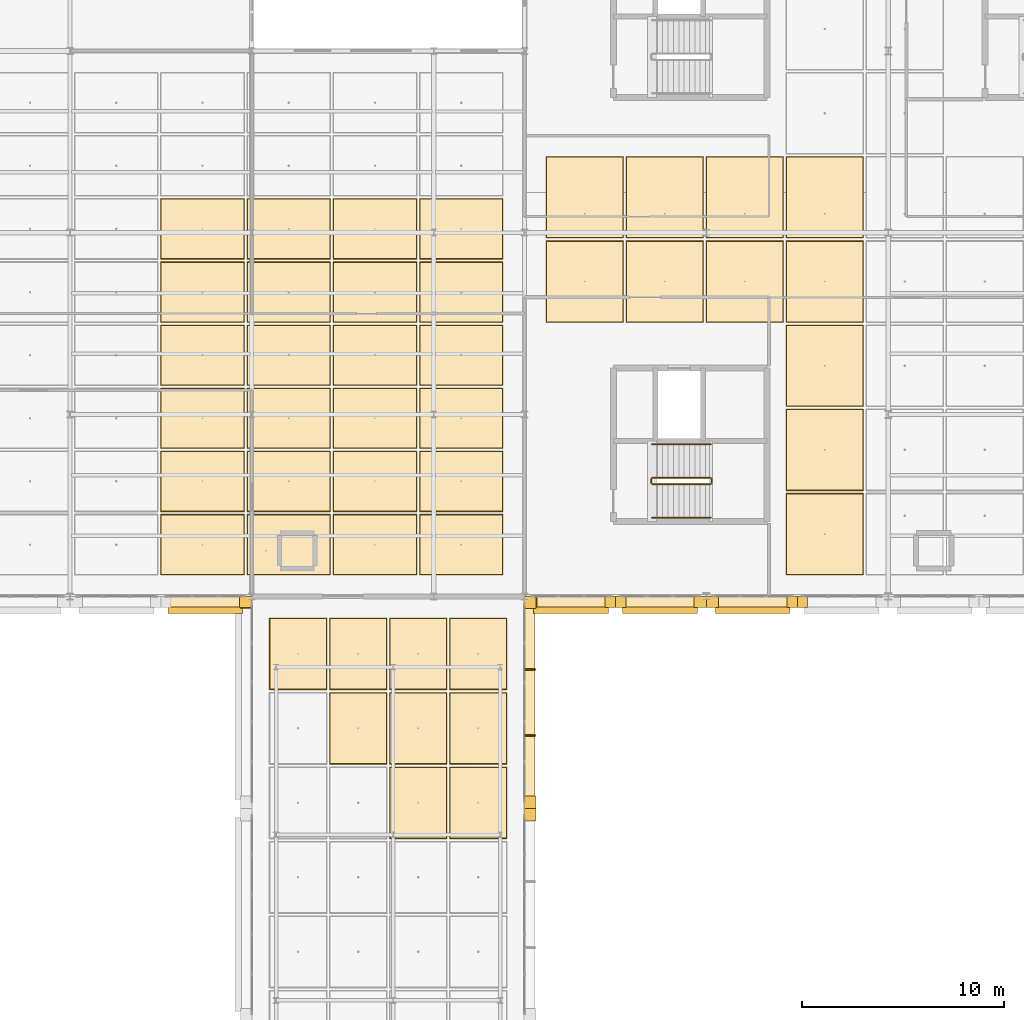
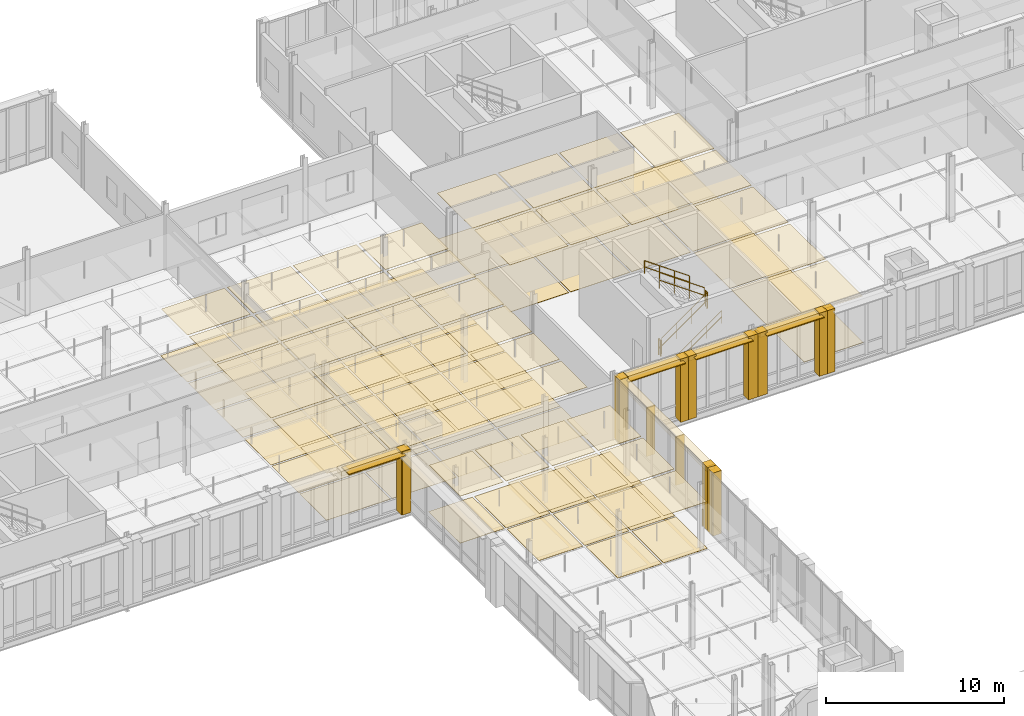
# One storey, part 125 of 130: 105 coverings, 6 railings, 6 shading devices.
"""IFC4 building model written with IfcOpenShell, lengths in metres."""

import ifcopenshell
import ifcopenshell.guid

model = None  # the IFC model being written
_history = None  # IfcOwnerHistory: only IFC2X3 demands one
_inside = {}  # id of a spatial element -> (the spatial element, [elements in it])
_under = {}  # id of a project, library or spatial element -> (it, [spatial elements below it])
_declared = {}  # id of a project -> (the project, [libraries it declares])
_typed = {}  # id of a type object -> (the type object, [elements of that type])
_made_of = {}  # id of a material, layer set ... -> (it, [elements and type objects made of it])


def new_model(schema):
    """Start an empty IFC model of exactly this schema.

    Asked for "IFC4X3", IfcOpenShell would pick the latest addendum, in which some entities
    have other attributes; the version numbers below select the first issue.
    IFC2X3 requires an IfcOwnerHistory on every rooted entity: one is made here for all.
    """
    global model, _history
    if schema == "IFC4X3":
        model = ifcopenshell.file(schema_version=(4, 3, 0, 0))
    else:
        model = ifcopenshell.file(schema=schema)
    _inside.clear()
    _under.clear()
    _declared.clear()
    _typed.clear()
    _made_of.clear()
    _history = None
    if model.schema == "IFC2X3":
        org = make("IfcOrganization", Name="unknown")
        user = make(
            "IfcPersonAndOrganization",
            ThePerson=make("IfcPerson", FamilyName="unknown"),
            TheOrganization=org,
        )
        app = make(
            "IfcApplication",
            ApplicationDeveloper=org,
            Version="unknown",
            ApplicationFullName="unknown",
            ApplicationIdentifier="unknown",
        )
        _history = make(
            "IfcOwnerHistory",
            OwningUser=user,
            OwningApplication=app,
            ChangeAction="ADDED",
            CreationDate=0,
        )
    return model


def make(cls, **values):
    """One entity of the class cls with the attributes given. An attribute that is None is left unset."""
    return model.create_entity(
        cls, **{name: value for name, value in values.items() if value is not None}
    )


def rooted(cls, **values):
    """An entity with a GlobalId (a new one), such as an element, a storey or a relation."""
    return make(cls, GlobalId=ifcopenshell.guid.new(), OwnerHistory=_history, **values)


def si_unit(unit_type, name, prefix=None):
    """IfcSIUnit, for example si_unit("LENGTHUNIT", "METRE", prefix="MILLI")."""
    return make("IfcSIUnit", UnitType=unit_type, Prefix=prefix, Name=name)


def assignment(units):
    """IfcUnitAssignment: the units of a project."""
    return None if units is None else make("IfcUnitAssignment", Units=units)


def point(xyz):
    """IfcCartesianPoint."""
    return None if xyz is None else make("IfcCartesianPoint", Coordinates=xyz)


def direction(xyz):
    """IfcDirection."""
    return None if xyz is None else make("IfcDirection", DirectionRatios=xyz)


def frame(location, z_axis=None, x_axis=None):
    """IfcAxis2Placement3D, a coordinate frame: its origin and axes. An axis left out is left unset."""
    return make(
        "IfcAxis2Placement3D",
        Location=point(location),
        Axis=direction(z_axis),
        RefDirection=direction(x_axis),
    )


def frame_2d(location, x_axis=None):
    """IfcAxis2Placement2D, a coordinate frame in the plane: its origin and x axis."""
    return make(
        "IfcAxis2Placement2D", Location=point(location), RefDirection=direction(x_axis)
    )


def origin():
    """The frame at (0, 0, 0) with its axes left unset."""
    return frame((0.0, 0.0, 0.0))


def origin_2d():
    """The frame at (0, 0) in the plane with its x axis left unset."""
    return frame_2d((0.0, 0.0))


def place(relative_to, where):
    """IfcLocalPlacement: puts the frame where relative to a parent placement (None: the world)."""
    return make(
        "IfcLocalPlacement", PlacementRelTo=relative_to, RelativePlacement=where
    )


def context(
    kind, dimensions, precision=None, world=None, true_north=None, identifier=None
):
    """IfcGeometricRepresentationContext, for example the 3D "Model" context."""
    return make(
        "IfcGeometricRepresentationContext",
        ContextIdentifier=identifier,
        ContextType=kind,
        CoordinateSpaceDimension=dimensions,
        Precision=precision,
        WorldCoordinateSystem=world,
        TrueNorth=true_north,
    )


def subcontext(parent, identifier, kind, view, scale=None):
    """IfcGeometricRepresentationSubContext, for example "Body" below "Model"."""
    return make(
        "IfcGeometricRepresentationSubContext",
        ContextIdentifier=identifier,
        ContextType=kind,
        ParentContext=parent,
        TargetScale=scale,
        TargetView=view,
    )


def project(units=None, contexts=None):
    """IfcProject with its units and contexts."""
    return rooted(
        "IfcProject",
        Name="project",
        RepresentationContexts=contexts,
        UnitsInContext=assignment(units),
    )


def spatial(cls, under=None, at=None, **own):
    """A site, building, storey or space (cls), placed at a placement, below another one or the project."""
    s = rooted(cls, ObjectPlacement=at, **own)
    if under is not None:
        _under.setdefault(under.id(), (under, []))[1].append(s)
    return s


def profile(cls, at=None, kind="AREA", **sizes):
    """A parametric profile (cls). Its sizes go by their IFC names, for example OverallWidth=200.0."""
    return make(cls, ProfileType=kind, Position=at, **sizes)


def rectangle(**sizes):
    """IfcRectangleProfileDef."""
    return profile("IfcRectangleProfileDef", **sizes)


def circle(**sizes):
    """IfcCircleProfileDef."""
    return profile("IfcCircleProfileDef", **sizes)


def extrude(swept, where, along, depth):
    """IfcExtrudedAreaSolid: the profile swept, set in the frame where, extruded along a direction by depth."""
    return make(
        "IfcExtrudedAreaSolid",
        SweptArea=swept,
        Position=where,
        ExtrudedDirection=direction(along),
        Depth=depth,
    )


def shape(context_of_items, identifier, shape_type, items):
    """IfcShapeRepresentation: the items that make up one representation, for example the "Body"."""
    return make(
        "IfcShapeRepresentation",
        ContextOfItems=context_of_items,
        RepresentationIdentifier=identifier,
        RepresentationType=shape_type,
        Items=items,
    )


def material(Name=None, Category=None):
    """IfcMaterial."""
    return make("IfcMaterial", Name=Name, Category=Category)


def layer(
    of_material, thickness, ventilated=None, Name=None, Category=None, Priority=None
):
    """IfcMaterialLayer: one layer of a wall or slab, of a material (None: an air gap)."""
    return make(
        "IfcMaterialLayer",
        Material=of_material,
        LayerThickness=thickness,
        IsVentilated=ventilated,
        Name=Name,
        Category=Category,
        Priority=Priority,
    )


def layer_set(layers, Name=None):
    """IfcMaterialLayerSet."""
    return make("IfcMaterialLayerSet", MaterialLayers=layers, LayerSetName=Name)


def made_of(thing, what):
    """Note that an element or type object is made of a material, layer set ...; save() writes the relation."""
    if what is not None:
        _made_of.setdefault(what.id(), (what, []))[1].append(thing)
    return thing


def type_object(cls, material=None, **own):
    """A type object (cls), such as IfcWallType, which elements share."""
    return made_of(rooted(cls, **own), material)


def element(
    cls,
    number,
    at=None,
    inside=None,
    cuts=None,
    type_object=None,
    material=None,
    context=None,
    identifier="Body",
    shape_type=None,
    held_by="IfcProductDefinitionShape",
    body=None,
    shapes=None,
    **own,
):
    """One element of the class cls, such as IfcWall. Its Tag is "e" and its number.

    at: its placement. inside: the storey or other place that contains it. cuts: it is an
    opening in that element (IfcRelVoidsElement). A single representation is given by context,
    identifier, shape_type and body (its items); several are given by shapes. held_by: the class
    of the entity that holds the representations. save() writes the other relations.
    """
    e = rooted(cls, Tag="e%d" % number, ObjectPlacement=at, **own)
    if body is not None:
        shapes = [shape(context, identifier, shape_type, body)]
    if shapes is not None:
        e.Representation = make(held_by, Representations=shapes)
    if inside is not None:
        _inside.setdefault(inside.id(), (inside, []))[1].append(e)
    if cuts is not None:
        rooted(
            "IfcRelVoidsElement", RelatingBuildingElement=cuts, RelatedOpeningElement=e
        )
    if type_object is not None:
        _typed.setdefault(type_object.id(), (type_object, []))[1].append(e)
    return made_of(e, material)


def aggregate(whole, parts):
    """IfcRelAggregates: a whole, such as a stair, and the parts it consists of."""
    return rooted("IfcRelAggregates", RelatingObject=whole, RelatedObjects=parts)


def save(model, path):
    """Write the relations noted so far, then the file.

    IfcRelAggregates (storeys below a building ...), IfcRelContainedInSpatialStructure (elements
    in a storey), IfcRelDefinesByType, IfcRelAssociatesMaterial and IfcRelDeclares: one each for
    every whole, place, type object, material and project.
    """
    for whole, parts in _under.values():
        aggregate(whole, parts)
    for where, things in _inside.values():
        rooted(
            "IfcRelContainedInSpatialStructure",
            RelatedElements=things,
            RelatingStructure=where,
        )
    for kind, things in _typed.values():
        rooted("IfcRelDefinesByType", RelatedObjects=things, RelatingType=kind)
    for what, things in _made_of.values():
        rooted("IfcRelAssociatesMaterial", RelatedObjects=things, RelatingMaterial=what)
    for by, libraries in _declared.values():
        rooted("IfcRelDeclares", RelatingContext=by, RelatedDefinitions=libraries)
    model.write(path)


model = new_model("IFC4")

# Units and contexts
model_context = context("Model", 3, precision=1e-05, world=origin(), true_north=direction((0.0, 1.0)))
body_context = subcontext(model_context, "Body", "Model", "MODEL_VIEW")
ifc_project = project(units=[si_unit("LENGTHUNIT", "METRE"), si_unit("AREAUNIT", "SQUARE_METRE"), si_unit("VOLUMEUNIT", "CUBIC_METRE"), si_unit("PLANEANGLEUNIT", "RADIAN"), si_unit("MASSUNIT", "GRAM", prefix="KILO"), si_unit("THERMODYNAMICTEMPERATUREUNIT", "KELVIN"), si_unit("POWERUNIT", "WATT")], contexts=[model_context])

# Site, building, storey
site_placement = place(None, origin())
site = spatial("IfcSite", under=ifc_project, at=site_placement, CompositionType="ELEMENT")
building_placement = place(site_placement, origin())
building = spatial("IfcBuilding", under=site, at=building_placement, Name="Tallowbark Science Centre", CompositionType="ELEMENT")
storey_placement = place(building_placement, frame((0.0, 0.0, 5.39990234375)))
storey = spatial("IfcBuildingStorey", under=building, at=storey_placement, Name="L01", CompositionType="ELEMENT", Elevation=5.39990234375)

# Coverings
ifc_material_1 = material(Name="Mineral-Fibre Acoustic Ceiling Tile Grid")
ifc_layer_1 = layer(ifc_material_1, 0.01806640625)
ifc_layer_set_1 = layer_set([ifc_layer_1], Name="Mineral-Fibre Acoustic Ceiling Tile Grid")
covering_type_1 = type_object("IfcCoveringType", Name="CLG-ACT-18", PredefinedType="CEILING", material=ifc_layer_set_1)
for number, where, z_axis, x_axis, name in (
    (1, (115.479248046875, 87.583251953125, 3.191162109375), (0.0, 0.0, 1.0), (1.0, 0.0, 0.0), "Suspended Ceiling L01-687"),
    (2, (115.479248046875, 91.75, 3.191162109375), (0.0, 0.0, 1.0), (1.0, 0.0, 0.0), "Suspended Ceiling L01-688"),
    (3, (119.4375, 87.583251953125, 3.191162109375), (0.0, 0.0, 1.0), (1.0, 0.0, 0.0), "Suspended Ceiling L01-690"),
    (4, (119.4375, 91.75, 3.191162109375), (0.0, 0.0, 1.0), (1.0, 0.0, 0.0), "Suspended Ceiling L01-691"),
    (5, (123.395751953125, 87.583251953125, 3.191162109375), (0.0, 0.0, 1.0), (1.0, 0.0, 0.0), "Suspended Ceiling L01-693"),
    (6, (123.395751953125, 91.75, 3.191162109375), (0.0, 0.0, 1.0), (1.0, 0.0, 0.0), "Suspended Ceiling L01-694"),
    (7, (127.354248046875, 75.083251953125, 3.191162109375), (0.0, 0.0, 1.0), (1.0, 0.0, 0.0), "Suspended Ceiling L01-696"),
    (8, (127.354248046875, 79.25, 3.191162109375), (0.0, 0.0, 1.0), (1.0, 0.0, 0.0), "Suspended Ceiling L01-697"),
    (9, (127.354248046875, 83.416748046875, 3.191162109375), (0.0, 0.0, 1.0), (1.0, 0.0, 0.0), "Suspended Ceiling L01-698"),
    (10, (127.354248046875, 87.583251953125, 3.191162109375), (0.0, 0.0, 1.0), (1.0, 0.0, 0.0), "Suspended Ceiling L01-699"),
    (11, (127.354248046875, 91.75, 3.191162109375), (0.0, 0.0, 1.0), (1.0, 0.0, 0.0), "Suspended Ceiling L01-700"),
):
    element("IfcCovering", number, at=place(storey_placement, frame(where, z_axis=z_axis, x_axis=x_axis)), inside=storey, type_object=covering_type_1, Name=name, PredefinedType="CEILING", context=body_context, shape_type="SweptSolid", body=[
        extrude(rectangle(XDim=3.7783203125, YDim=3.98681640625, at=origin_2d()), origin(), (0.0, 0.0, 1.0), 0.01806640625),
    ])
ifc_material_2 = material(Name="Cleanable Vinyl-Faced Laboratory Ceiling Tile")
ifc_layer_2 = layer(ifc_material_2, 0.01611328125)
ifc_layer_set_2 = layer_set([ifc_layer_2], Name="Cleanable Vinyl-Faced Laboratory Ceiling Tile")
covering_type_2 = type_object("IfcCoveringType", Name="CLG-LAB-16", PredefinedType="CEILING", material=ifc_layer_set_2)
for number, where, z_axis, x_axis, name in (
    (12, (96.5576171875, 74.5625, 3.192138671875), (0.0, 0.0, 1.0), (1.0, 0.0, 0.0), "Suspended Ceiling L01-655"),
    (13, (96.5576171875, 77.6875, 3.192138671875), (0.0, 0.0, 1.0), (1.0, 0.0, 0.0), "Suspended Ceiling L01-656"),
    (14, (96.5576171875, 80.8125, 3.192138671875), (0.0, 0.0, 1.0), (1.0, 0.0, 0.0), "Suspended Ceiling L01-657"),
    (15, (96.5576171875, 83.9375, 3.192138671875), (0.0, 0.0, 1.0), (1.0, 0.0, 0.0), "Suspended Ceiling L01-658"),
    (16, (96.5576171875, 87.0625, 3.192138671875), (0.0, 0.0, 1.0), (1.0, 0.0, 0.0), "Suspended Ceiling L01-659"),
    (17, (96.5576171875, 90.1875, 3.192138671875), (0.0, 0.0, 1.0), (1.0, 0.0, 0.0), "Suspended Ceiling L01-660"),
    (18, (100.826904296875, 74.5625, 3.192138671875), (0.0, 0.0, 1.0), (1.0, 0.0, 0.0), "Suspended Ceiling L01-663"),
    (19, (100.826904296875, 77.6875, 3.192138671875), (0.0, 0.0, 1.0), (1.0, 0.0, 0.0), "Suspended Ceiling L01-664"),
    (20, (100.826904296875, 80.8125, 3.192138671875), (0.0, 0.0, 1.0), (1.0, 0.0, 0.0), "Suspended Ceiling L01-665"),
    (21, (100.826904296875, 83.9375, 3.192138671875), (0.0, 0.0, 1.0), (1.0, 0.0, 0.0), "Suspended Ceiling L01-666"),
    (22, (100.826904296875, 87.0625, 3.192138671875), (0.0, 0.0, 1.0), (1.0, 0.0, 0.0), "Suspended Ceiling L01-667"),
    (23, (100.826904296875, 90.1875, 3.192138671875), (0.0, 0.0, 1.0), (1.0, 0.0, 0.0), "Suspended Ceiling L01-668"),
    (24, (105.09619140625, 74.5625, 3.192138671875), (0.0, 0.0, 1.0), (1.0, 0.0, 0.0), "Suspended Ceiling L01-671"),
    (25, (105.09619140625, 77.6875, 3.192138671875), (0.0, 0.0, 1.0), (1.0, 0.0, 0.0), "Suspended Ceiling L01-672"),
    (26, (105.09619140625, 80.8125, 3.192138671875), (0.0, 0.0, 1.0), (1.0, 0.0, 0.0), "Suspended Ceiling L01-673"),
    (27, (105.09619140625, 83.9375, 3.192138671875), (0.0, 0.0, 1.0), (1.0, 0.0, 0.0), "Suspended Ceiling L01-674"),
    (28, (105.09619140625, 87.0625, 3.192138671875), (0.0, 0.0, 1.0), (1.0, 0.0, 0.0), "Suspended Ceiling L01-675"),
    (29, (105.09619140625, 90.1875, 3.192138671875), (0.0, 0.0, 1.0), (1.0, 0.0, 0.0), "Suspended Ceiling L01-676"),
    (30, (109.365478515625, 74.5625, 3.192138671875), (0.0, 0.0, 1.0), (1.0, 0.0, 0.0), "Suspended Ceiling L01-679"),
    (31, (109.365478515625, 77.6875, 3.192138671875), (0.0, 0.0, 1.0), (1.0, 0.0, 0.0), "Suspended Ceiling L01-680"),
    (32, (109.365478515625, 80.8125, 3.192138671875), (0.0, 0.0, 1.0), (1.0, 0.0, 0.0), "Suspended Ceiling L01-681"),
    (33, (109.365478515625, 83.9375, 3.192138671875), (0.0, 0.0, 1.0), (1.0, 0.0, 0.0), "Suspended Ceiling L01-682"),
    (34, (109.365478515625, 87.0625, 3.192138671875), (0.0, 0.0, 1.0), (1.0, 0.0, 0.0), "Suspended Ceiling L01-683"),
    (35, (109.365478515625, 90.1875, 3.192138671875), (0.0, 0.0, 1.0), (1.0, 0.0, 0.0), "Suspended Ceiling L01-684"),
):
    element("IfcCovering", number, at=place(storey_placement, frame(where, z_axis=z_axis, x_axis=x_axis)), inside=storey, type_object=covering_type_2, Name=name, PredefinedType="CEILING", context=body_context, shape_type="SweptSolid", body=[
        extrude(rectangle(XDim=4.089111328125, YDim=2.945068359375, at=origin_2d()), origin(), (0.0, 0.0, 1.0), 0.01611328125),
    ])
ifc_material_3 = material(Name="Perforated Spotted Gum Acoustic Baffle Ceiling", Category="wood")
ifc_layer_3 = layer(ifc_material_3, 0.02490234375)
ifc_layer_set_3 = layer_set([ifc_layer_3], Name="Perforated Spotted Gum Acoustic Baffle Ceiling")
covering_type_3 = type_object("IfcCoveringType", Name="CLG-TIM-25", PredefinedType="CEILING", material=ifc_layer_set_3)
for number, where, z_axis, x_axis, name in (
    (36, (101.28759765625, 69.15625, 3.187744140625), (0.0, 0.0, 1.0), (1.0, 0.0, 0.0), "Suspended Ceiling L01-570"),
    (37, (104.262451171875, 65.46875, 3.187744140625), (0.0, 0.0, 1.0), (1.0, 0.0, 0.0), "Suspended Ceiling L01-577"),
    (38, (104.262451171875, 69.15625, 3.187744140625), (0.0, 0.0, 1.0), (1.0, 0.0, 0.0), "Suspended Ceiling L01-578"),
    (39, (107.237548828125, 61.78125, 3.187744140625), (0.0, 0.0, 1.0), (1.0, 0.0, 0.0), "Suspended Ceiling L01-584"),
    (40, (107.237548828125, 65.46875, 3.187744140625), (0.0, 0.0, 1.0), (1.0, 0.0, 0.0), "Suspended Ceiling L01-585"),
    (41, (107.237548828125, 69.15625, 3.187744140625), (0.0, 0.0, 1.0), (1.0, 0.0, 0.0), "Suspended Ceiling L01-586"),
    (42, (110.21240234375, 61.78125, 3.187744140625), (0.0, 0.0, 1.0), (1.0, 0.0, 0.0), "Suspended Ceiling L01-592"),
    (43, (110.21240234375, 65.46875, 3.187744140625), (0.0, 0.0, 1.0), (1.0, 0.0, 0.0), "Suspended Ceiling L01-593"),
    (44, (110.21240234375, 69.15625, 3.187744140625), (0.0, 0.0, 1.0), (1.0, 0.0, 0.0), "Suspended Ceiling L01-594"),
):
    element("IfcCovering", number, at=place(storey_placement, frame(where, z_axis=z_axis, x_axis=x_axis)), inside=storey, type_object=covering_type_3, Name=name, PredefinedType="CEILING", context=body_context, shape_type="SweptSolid", body=[
        extrude(rectangle(XDim=2.794921875, YDim=3.507568359375, at=origin_2d()), origin(), (0.0, 0.0, 1.0), 0.02490234375),
    ])
ifc_material_4 = material(Name="White Architectural Precast Concrete Grade N40 (40 MPa)", Category="concrete")
ifc_layer_4 = layer(ifc_material_4, 0.1201171875)
ifc_layer_set_4 = layer_set([ifc_layer_4], Name="White Architectural Precast Concrete Grade N40 (40 MPa)")
covering_type_4 = type_object("IfcCoveringType", Name="COV-PRC-CLAD", PredefinedType="CLADDING", material=ifc_layer_set_4)
for number, where, z_axis, x_axis, name in (
    (45, (112.780029296875, 61.195068359375, 0.0), (0.0, 0.0, 1.0), (0.0, 1.0, 0.0), "Postmodern Deep Precast Pier CW-L01-013-2"),
    (46, (98.719970703125, 71.695068359375, 0.0), (0.0, 0.0, 1.0), (0.0, -1.0, 0.0), "Postmodern Deep Precast Pier CW-L01-014-1"),
    (47, (112.780029296875, 61.804931640625, 0.0), (0.0, 0.0, 1.0), (0.0, 1.0, 0.0), "Postmodern Deep Precast Pier CW-L01-015-1"),
    (48, (112.780029296875, 71.695068359375, 0.0), (0.0, 0.0, 1.0), (0.0, 1.0, 0.0), "Postmodern Deep Precast Pier CW-L01-015-2"),
    (49, (98.695068359375, 71.719970703125, 0.0), (0.0, 0.0, 1.0), (1.0, 0.0, 0.0), "Postmodern Deep Precast Pier CW-L01-044-2"),
    (50, (112.804931640625, 71.719970703125, 0.0), (0.0, 0.0, 1.0), (1.0, 0.0, 0.0), "Postmodern Deep Precast Pier CW-L01-112-1"),
):
    element("IfcCovering", number, at=place(storey_placement, frame(where, z_axis=z_axis, x_axis=x_axis)), inside=storey, type_object=covering_type_4, Name=name, PredefinedType="CLADDING", context=body_context, shape_type="SweptSolid", body=[
        extrude(rectangle(XDim=0.610107421875, YDim=0.56005859375, at=origin_2d()), origin(), (0.0, 0.0, 1.0), 4.320068359375),
    ])
for number, where, z_axis, x_axis, name in (
    (51, (116.7451171875, 71.719970703125, 0.0), (0.0, 0.0, 1.0), (1.0, 0.0, 0.0), "Postmodern Deep Precast Pier CW-L01-112-2"),
    (52, (117.2548828125, 71.719970703125, 0.0), (0.0, 0.0, 1.0), (1.0, 0.0, 0.0), "Postmodern Deep Precast Pier CW-L01-113-1"),
):
    element("IfcCovering", number, at=place(storey_placement, frame(where, z_axis=z_axis, x_axis=x_axis)), inside=storey, type_object=covering_type_4, Name=name, PredefinedType="CLADDING", context=body_context, shape_type="SweptSolid", body=[
        extrude(rectangle(XDim=0.510009765625, YDim=0.56005859375, at=origin_2d()), origin(), (0.0, 0.0, 1.0), 4.320068359375),
    ])
for number, where, z_axis, x_axis, name in (
    (53, (121.195068359375, 71.719970703125, 0.0), (0.0, 0.0, 1.0), (1.0, 0.0, 0.0), "Postmodern Deep Precast Pier CW-L01-113-2"),
    (54, (121.804931640625, 71.719970703125, 0.0), (0.0, 0.0, 1.0), (1.0, 0.0, 0.0), "Postmodern Deep Precast Pier CW-L01-116-1"),
):
    element("IfcCovering", number, at=place(storey_placement, frame(where, z_axis=z_axis, x_axis=x_axis)), inside=storey, type_object=covering_type_4, Name=name, PredefinedType="CLADDING", context=body_context, shape_type="SweptSolid", body=[
        extrude(rectangle(XDim=0.610107421875, YDim=0.56005859375, at=origin_2d()), origin(), (0.0, 0.0, 1.0), 4.320068359375),
    ])
for number, where, z_axis, x_axis, name in (
    (55, (125.7451171875, 71.719970703125, 0.0), (0.0, 0.0, 1.0), (1.0, 0.0, 0.0), "Postmodern Deep Precast Pier CW-L01-116-2"),
    (56, (126.2548828125, 71.719970703125, 0.0), (0.0, 0.0, 1.0), (1.0, 0.0, 0.0), "Postmodern Deep Precast Pier CW-L01-117-1"),
):
    element("IfcCovering", number, at=place(storey_placement, frame(where, z_axis=z_axis, x_axis=x_axis)), inside=storey, type_object=covering_type_4, Name=name, PredefinedType="CLADDING", context=body_context, shape_type="SweptSolid", body=[
        extrude(rectangle(XDim=0.510009765625, YDim=0.56005859375, at=origin_2d()), origin(), (0.0, 0.0, 1.0), 4.320068359375),
    ])
ifc_material_5 = material(Name="Vitrified Ochre Terracotta Architectural Rainscreen", Category="masonry")
ifc_layer_5 = layer(ifc_material_5, 0.0380859375)
ifc_layer_set_5 = layer_set([ifc_layer_5], Name="Vitrified Ochre Terracotta Architectural Rainscreen")
covering_type_5 = type_object("IfcCoveringType", Name="COV-TER-CLAD", PredefinedType="CLADDING", material=ifc_layer_set_5)
covering_placement = place(storey_placement, frame((112.760009765625, 66.75, 3.97021484375), z_axis=(0.0, 0.0, 1.0), x_axis=(0.0, 1.0, 0.0)))
element("IfcCovering", 57, at=covering_placement, inside=storey, type_object=covering_type_5, Name="Postmodern Terracotta Cornice Band CW-L01-015", PredefinedType="CLADDING", context=body_context, shape_type="SweptSolid", body=[
    extrude(rectangle(XDim=10.199951171875, YDim=0.52001953125, at=origin_2d()), origin(), (0.0, 0.0, 1.0), 0.340087890625),
])
for number, where, z_axis, x_axis, name in (
    (58, (96.699951171875, 71.739990234375, 3.97021484375), (0.0, 0.0, 1.0), (1.0, 0.0, 0.0), "Postmodern Terracotta Cornice Band CW-L01-044"),
    (59, (114.800048828125, 71.739990234375, 3.97021484375), (0.0, 0.0, 1.0), (1.0, 0.0, 0.0), "Postmodern Terracotta Cornice Band CW-L01-112"),
    (60, (119.199951171875, 71.739990234375, 3.97021484375), (0.0, 0.0, 1.0), (1.0, 0.0, 0.0), "Postmodern Terracotta Cornice Band CW-L01-113"),
    (61, (123.800048828125, 71.739990234375, 3.97021484375), (0.0, 0.0, 1.0), (1.0, 0.0, 0.0), "Postmodern Terracotta Cornice Band CW-L01-116"),
):
    element("IfcCovering", number, at=place(storey_placement, frame(where, z_axis=z_axis, x_axis=x_axis)), inside=storey, type_object=covering_type_5, Name=name, PredefinedType="CLADDING", context=body_context, shape_type="SweptSolid", body=[
        extrude(rectangle(XDim=4.300048828125, YDim=0.52001953125, at=origin_2d()), origin(), (0.0, 0.0, 1.0), 0.340087890625),
    ])
ifc_material_6 = material(Name="Polished Recycled-Glass Terrazzo Foyer Flooring", Category="glass")
ifc_layer_6 = layer(ifc_material_6, 0.02001953125)
ifc_layer_set_6 = layer_set([ifc_layer_6], Name="Polished Recycled-Glass Terrazzo Foyer Flooring")
covering_type_6 = type_object("IfcCoveringType", Name="FLR-TER-20", PredefinedType="FLOORING", material=ifc_layer_set_6)
for number, where, z_axis, x_axis, name in (
    (62, (101.28759765625, 69.15625, 0.0), (0.0, 0.0, 1.0), (1.0, 0.0, 0.0), "Floor Finish L01-570"),
    (63, (104.262451171875, 65.46875, 0.0), (0.0, 0.0, 1.0), (1.0, 0.0, 0.0), "Floor Finish L01-577"),
    (64, (104.262451171875, 69.15625, 0.0), (0.0, 0.0, 1.0), (1.0, 0.0, 0.0), "Floor Finish L01-578"),
    (65, (107.237548828125, 61.78125, 0.0), (0.0, 0.0, 1.0), (1.0, 0.0, 0.0), "Floor Finish L01-584"),
    (66, (107.237548828125, 65.46875, 0.0), (0.0, 0.0, 1.0), (1.0, 0.0, 0.0), "Floor Finish L01-585"),
    (67, (107.237548828125, 69.15625, 0.0), (0.0, 0.0, 1.0), (1.0, 0.0, 0.0), "Floor Finish L01-586"),
    (68, (110.21240234375, 61.78125, 0.0), (0.0, 0.0, 1.0), (1.0, 0.0, 0.0), "Floor Finish L01-592"),
    (69, (110.21240234375, 65.46875, 0.0), (0.0, 0.0, 1.0), (1.0, 0.0, 0.0), "Floor Finish L01-593"),
    (70, (110.21240234375, 69.15625, 0.0), (0.0, 0.0, 1.0), (1.0, 0.0, 0.0), "Floor Finish L01-594"),
):
    element("IfcCovering", number, at=place(storey_placement, frame(where, z_axis=z_axis, x_axis=x_axis)), inside=storey, type_object=covering_type_6, Name=name, PredefinedType="FLOORING", context=body_context, shape_type="SweptSolid", body=[
        extrude(rectangle(XDim=2.85498046875, YDim=3.5673828125, at=origin_2d()), origin(), (0.0, 0.0, 1.0), 0.02001953125),
    ])
ifc_material_7 = material(Name="Engineered Blackbutt Gallery Timber Flooring", Category="wood")
ifc_layer_7 = layer(ifc_material_7, 0.02197265625)
ifc_layer_set_7 = layer_set([ifc_layer_7], Name="Engineered Blackbutt Gallery Timber Flooring")
covering_type_7 = type_object("IfcCoveringType", Name="FLR-TIM-22", PredefinedType="FLOORING", material=ifc_layer_set_7)
for number, where, z_axis, x_axis, name in (
    (71, (115.479248046875, 87.583251953125, 0.0), (0.0, 0.0, 1.0), (1.0, 0.0, 0.0), "Floor Finish L01-687"),
    (72, (115.479248046875, 91.75, 0.0), (0.0, 0.0, 1.0), (1.0, 0.0, 0.0), "Floor Finish L01-688"),
    (73, (119.4375, 87.583251953125, 0.0), (0.0, 0.0, 1.0), (1.0, 0.0, 0.0), "Floor Finish L01-690"),
    (74, (119.4375, 91.75, 0.0), (0.0, 0.0, 1.0), (1.0, 0.0, 0.0), "Floor Finish L01-691"),
    (75, (123.395751953125, 87.583251953125, 0.0), (0.0, 0.0, 1.0), (1.0, 0.0, 0.0), "Floor Finish L01-693"),
    (76, (123.395751953125, 91.75, 0.0), (0.0, 0.0, 1.0), (1.0, 0.0, 0.0), "Floor Finish L01-694"),
    (77, (127.354248046875, 75.083251953125, 0.0), (0.0, 0.0, 1.0), (1.0, 0.0, 0.0), "Floor Finish L01-696"),
    (78, (127.354248046875, 79.25, 0.0), (0.0, 0.0, 1.0), (1.0, 0.0, 0.0), "Floor Finish L01-697"),
    (79, (127.354248046875, 83.416748046875, 0.0), (0.0, 0.0, 1.0), (1.0, 0.0, 0.0), "Floor Finish L01-698"),
    (80, (127.354248046875, 87.583251953125, 0.0), (0.0, 0.0, 1.0), (1.0, 0.0, 0.0), "Floor Finish L01-699"),
    (81, (127.354248046875, 91.75, 0.0), (0.0, 0.0, 1.0), (1.0, 0.0, 0.0), "Floor Finish L01-700"),
):
    element("IfcCovering", number, at=place(storey_placement, frame(where, z_axis=z_axis, x_axis=x_axis)), inside=storey, type_object=covering_type_7, Name=name, PredefinedType="FLOORING", context=body_context, shape_type="SweptSolid", body=[
        extrude(rectangle(XDim=3.83837890625, YDim=4.046630859375, at=origin_2d()), origin(), (0.0, 0.0, 1.0), 0.02197265625),
    ])
ifc_material_8 = material(Name="Chemical-Resistant Seamless Laboratory Vinyl")
ifc_layer_8 = layer(ifc_material_8, 0.011962890625)
ifc_layer_set_8 = layer_set([ifc_layer_8], Name="Chemical-Resistant Seamless Laboratory Vinyl")
covering_type_8 = type_object("IfcCoveringType", Name="FLR-VIN-12", PredefinedType="FLOORING", material=ifc_layer_set_8)
for number, where, z_axis, x_axis, name in (
    (82, (96.5576171875, 74.5625, 0.0), (0.0, 0.0, 1.0), (1.0, 0.0, 0.0), "Floor Finish L01-655"),
    (83, (96.5576171875, 77.6875, 0.0), (0.0, 0.0, 1.0), (1.0, 0.0, 0.0), "Floor Finish L01-656"),
    (84, (96.5576171875, 80.8125, 0.0), (0.0, 0.0, 1.0), (1.0, 0.0, 0.0), "Floor Finish L01-657"),
    (85, (96.5576171875, 83.9375, 0.0), (0.0, 0.0, 1.0), (1.0, 0.0, 0.0), "Floor Finish L01-658"),
    (86, (96.5576171875, 87.0625, 0.0), (0.0, 0.0, 1.0), (1.0, 0.0, 0.0), "Floor Finish L01-659"),
    (87, (96.5576171875, 90.1875, 0.0), (0.0, 0.0, 1.0), (1.0, 0.0, 0.0), "Floor Finish L01-660"),
    (88, (100.826904296875, 74.5625, 0.0), (0.0, 0.0, 1.0), (1.0, 0.0, 0.0), "Floor Finish L01-663"),
    (89, (100.826904296875, 77.6875, 0.0), (0.0, 0.0, 1.0), (1.0, 0.0, 0.0), "Floor Finish L01-664"),
    (90, (100.826904296875, 80.8125, 0.0), (0.0, 0.0, 1.0), (1.0, 0.0, 0.0), "Floor Finish L01-665"),
    (91, (100.826904296875, 83.9375, 0.0), (0.0, 0.0, 1.0), (1.0, 0.0, 0.0), "Floor Finish L01-666"),
    (92, (100.826904296875, 87.0625, 0.0), (0.0, 0.0, 1.0), (1.0, 0.0, 0.0), "Floor Finish L01-667"),
    (93, (100.826904296875, 90.1875, 0.0), (0.0, 0.0, 1.0), (1.0, 0.0, 0.0), "Floor Finish L01-668"),
    (94, (105.09619140625, 74.5625, 0.0), (0.0, 0.0, 1.0), (1.0, 0.0, 0.0), "Floor Finish L01-671"),
    (95, (105.09619140625, 77.6875, 0.0), (0.0, 0.0, 1.0), (1.0, 0.0, 0.0), "Floor Finish L01-672"),
    (96, (105.09619140625, 80.8125, 0.0), (0.0, 0.0, 1.0), (1.0, 0.0, 0.0), "Floor Finish L01-673"),
    (97, (105.09619140625, 83.9375, 0.0), (0.0, 0.0, 1.0), (1.0, 0.0, 0.0), "Floor Finish L01-674"),
    (98, (105.09619140625, 87.0625, 0.0), (0.0, 0.0, 1.0), (1.0, 0.0, 0.0), "Floor Finish L01-675"),
    (99, (105.09619140625, 90.1875, 0.0), (0.0, 0.0, 1.0), (1.0, 0.0, 0.0), "Floor Finish L01-676"),
    (100, (109.365478515625, 74.5625, 0.0), (0.0, 0.0, 1.0), (1.0, 0.0, 0.0), "Floor Finish L01-679"),
    (101, (109.365478515625, 77.6875, 0.0), (0.0, 0.0, 1.0), (1.0, 0.0, 0.0), "Floor Finish L01-680"),
    (102, (109.365478515625, 80.8125, 0.0), (0.0, 0.0, 1.0), (1.0, 0.0, 0.0), "Floor Finish L01-681"),
    (103, (109.365478515625, 83.9375, 0.0), (0.0, 0.0, 1.0), (1.0, 0.0, 0.0), "Floor Finish L01-682"),
    (104, (109.365478515625, 87.0625, 0.0), (0.0, 0.0, 1.0), (1.0, 0.0, 0.0), "Floor Finish L01-683"),
    (105, (109.365478515625, 90.1875, 0.0), (0.0, 0.0, 1.0), (1.0, 0.0, 0.0), "Floor Finish L01-684"),
):
    element("IfcCovering", number, at=place(storey_placement, frame(where, z_axis=z_axis, x_axis=x_axis)), inside=storey, type_object=covering_type_8, Name=name, PredefinedType="FLOORING", context=body_context, shape_type="SweptSolid", body=[
        extrude(rectangle(XDim=4.149169921875, YDim=3.0048828125, at=origin_2d()), origin(), (0.0, 0.0, 1.0), 0.011962890625),
    ])

# Railings
ifc_material_9 = material(Name="Galvanised Painted Steel and Laminated Glass Balustrade", Category="steel")
ifc_layer_9 = layer(ifc_material_9, 0.070068359375)
ifc_layer_set_9 = layer_set([ifc_layer_9], Name="Galvanised Painted Steel and Laminated Glass Balustrade")
railing_type_1 = type_object("IfcRailingType", Name="RLG-BAL-1150", PredefinedType="BALUSTRADE", material=ifc_layer_set_9)
railing_1_placement = place(storey_placement, frame((118.81005859375, 77.56005859375, 0.1875)))
element("IfcRailing", 106, at=railing_1_placement, inside=storey, type_object=railing_type_1, Name="L01 ST-02 stair guard 1", PredefinedType="BALUSTRADE", context=body_context, shape_type="SweptSolid", body=[
    extrude(circle(Radius=0.02392578125, at=origin_2d()), frame((0.0, 0.0, 1.076171875), z_axis=(0.816330724661, 0.0, 0.577584753931), x_axis=(0.0, 1.0, 0.0)), (0.0, 0.0, 1.0), 3.57080078125),
    extrude(circle(Radius=0.02392578125, at=origin_2d()), frame((0.0, 0.0, 0.550048828125), z_axis=(0.816330724661, 0.0, 0.577584753931), x_axis=(0.0, 1.0, 0.0)), (0.0, 0.0, 1.0), 3.57080078125),
    extrude(circle(Radius=0.02099609375, at=origin_2d()), origin(), (0.0, 0.0, 1.0), 1.052001953125),
    extrude(circle(Radius=0.02099609375, at=origin_2d()), frame((0.9716796875, 0.0, 0.6875)), (0.0, 0.0, 1.0), 1.052001953125),
    extrude(circle(Radius=0.02099609375, at=origin_2d()), frame((1.943359375, 0.0, 1.375)), (0.0, 0.0, 1.0), 1.052001953125),
    extrude(circle(Radius=0.02099609375, at=origin_2d()), frame((2.9150390625, 0.0, 2.0625)), (0.0, 0.0, 1.0), 1.052001953125),
])
railing_2_placement = place(storey_placement, frame((121.77490234375, 77.610107421875, 2.25)))
element("IfcRailing", 107, at=railing_2_placement, inside=storey, type_object=railing_type_1, Name="L01 ST-02 stair guard 2", PredefinedType="BALUSTRADE", context=body_context, shape_type="SweptSolid", body=[
    extrude(circle(Radius=0.02392578125, at=origin_2d()), frame((0.0, 0.0, 1.076171875), z_axis=(0.0, 1.0, 0.0), x_axis=(-1.0, 0.0, 0.0)), (0.0, 0.0, 1.0), 0.199951171875),
    extrude(circle(Radius=0.02392578125, at=origin_2d()), frame((0.0, 0.0, 0.550048828125), z_axis=(0.0, 1.0, 0.0), x_axis=(-1.0, 0.0, 0.0)), (0.0, 0.0, 1.0), 0.199951171875),
    extrude(circle(Radius=0.02099609375, at=origin_2d()), origin(), (0.0, 0.0, 1.0), 1.052001953125),
    extrude(circle(Radius=0.02099609375, at=origin_2d()), frame((0.0, 0.199951171875, 0.0)), (0.0, 0.0, 1.0), 1.052001953125),
])
railing_3_placement = place(storey_placement, frame((121.72509765625, 77.860107421875, 2.4375)))
element("IfcRailing", 108, at=railing_3_placement, inside=storey, type_object=railing_type_1, Name="L01 ST-02 stair guard 3", PredefinedType="BALUSTRADE", context=body_context, shape_type="SweptSolid", body=[
    extrude(circle(Radius=0.02392578125, at=origin_2d()), frame((0.0, 0.0, 1.076171875), z_axis=(-0.816330724661, 0.0, 0.577584753931), x_axis=(0.0, -1.0, 0.0)), (0.0, 0.0, 1.0), 3.57080078125),
    extrude(circle(Radius=0.02392578125, at=origin_2d()), frame((0.0, 0.0, 0.550048828125), z_axis=(-0.816330724661, 0.0, 0.577584753931), x_axis=(0.0, -1.0, 0.0)), (0.0, 0.0, 1.0), 3.57080078125),
    extrude(circle(Radius=0.02099609375, at=origin_2d()), origin(), (0.0, 0.0, 1.0), 1.052001953125),
    extrude(circle(Radius=0.02099609375, at=origin_2d()), frame((-0.9716796875, 0.0, 0.6875)), (0.0, 0.0, 1.0), 1.052001953125),
    extrude(circle(Radius=0.02099609375, at=origin_2d()), frame((-1.943359375, 0.0, 1.375)), (0.0, 0.0, 1.0), 1.052001953125),
    extrude(circle(Radius=0.02099609375, at=origin_2d()), frame((-2.9150390625, 0.0, 2.0625)), (0.0, 0.0, 1.0), 1.052001953125),
])
railing_4_placement = place(storey_placement, frame((118.760009765625, 77.610107421875, 0.0)))
element("IfcRailing", 109, at=railing_4_placement, inside=storey, type_object=railing_type_1, Name="L01 ST-02 stair guard 4", PredefinedType="BALUSTRADE", context=body_context, shape_type="SweptSolid", body=[
    extrude(circle(Radius=0.02392578125, at=origin_2d()), frame((0.0, 0.0, 1.076171875), z_axis=(0.0, 1.0, 0.0), x_axis=(-1.0, 0.0, 0.0)), (0.0, 0.0, 1.0), 0.199951171875),
    extrude(circle(Radius=0.02392578125, at=origin_2d()), frame((0.0, 0.0, 0.550048828125), z_axis=(0.0, 1.0, 0.0), x_axis=(-1.0, 0.0, 0.0)), (0.0, 0.0, 1.0), 0.199951171875),
    extrude(circle(Radius=0.02099609375, at=origin_2d()), origin(), (0.0, 0.0, 1.0), 1.052001953125),
    extrude(circle(Radius=0.02099609375, at=origin_2d()), frame((0.0, 0.199951171875, 0.0)), (0.0, 0.0, 1.0), 1.052001953125),
])
ifc_material_10 = material(Name="Brushed Grade 316 Stainless Steel Handrail", Category="steel")
ifc_layer_10 = layer(ifc_material_10, 0.050048828125)
ifc_layer_set_10 = layer_set([ifc_layer_10], Name="Brushed Grade 316 Stainless Steel Handrail")
railing_type_2 = type_object("IfcRailingType", Name="RLG-HDR-950", PredefinedType="HANDRAIL", material=ifc_layer_set_10)
railing_5_placement = place(storey_placement, frame((118.81005859375, 75.89990234375, 0.1875)))
element("IfcRailing", 110, at=railing_5_placement, inside=storey, type_object=railing_type_2, Name="L01 ST-02 stair handrail 1", PredefinedType="HANDRAIL", context=body_context, shape_type="SweptSolid", body=[
    extrude(circle(Radius=0.02392578125, at=origin_2d()), frame((0.0, 0.0, 0.8759765625), z_axis=(0.816330724661, 0.0, 0.577584753931), x_axis=(0.0, 1.0, 0.0)), (0.0, 0.0, 1.0), 3.57080078125),
    extrude(circle(Radius=0.02392578125, at=origin_2d()), frame((0.0, 0.0, 0.449951171875), z_axis=(0.816330724661, 0.0, 0.577584753931), x_axis=(0.0, 1.0, 0.0)), (0.0, 0.0, 1.0), 3.57080078125),
    extrude(circle(Radius=0.02099609375, at=origin_2d()), origin(), (0.0, 0.0, 1.0), 0.851806640625),
    extrude(circle(Radius=0.02099609375, at=origin_2d()), frame((0.9716796875, 0.0, 0.6875)), (0.0, 0.0, 1.0), 0.851806640625),
    extrude(circle(Radius=0.02099609375, at=origin_2d()), frame((1.943359375, 0.0, 1.375)), (0.0, 0.0, 1.0), 0.851806640625),
    extrude(circle(Radius=0.02099609375, at=origin_2d()), frame((2.9150390625, 0.0, 2.0625)), (0.0, 0.0, 1.0), 0.851806640625),
])
railing_6_placement = place(storey_placement, frame((121.72509765625, 79.52001953125, 2.4375)))
element("IfcRailing", 111, at=railing_6_placement, inside=storey, type_object=railing_type_2, Name="L01 ST-02 stair handrail 2", PredefinedType="HANDRAIL", context=body_context, shape_type="SweptSolid", body=[
    extrude(circle(Radius=0.02392578125, at=origin_2d()), frame((0.0, 0.0, 0.8759765625), z_axis=(-0.816330724661, 0.0, 0.577584753931), x_axis=(0.0, -1.0, 0.0)), (0.0, 0.0, 1.0), 3.57080078125),
    extrude(circle(Radius=0.02392578125, at=origin_2d()), frame((0.0, 0.0, 0.449951171875), z_axis=(-0.816330724661, 0.0, 0.577584753931), x_axis=(0.0, -1.0, 0.0)), (0.0, 0.0, 1.0), 3.57080078125),
    extrude(circle(Radius=0.02099609375, at=origin_2d()), origin(), (0.0, 0.0, 1.0), 0.851806640625),
    extrude(circle(Radius=0.02099609375, at=origin_2d()), frame((-0.9716796875, 0.0, 0.6875)), (0.0, 0.0, 1.0), 0.851806640625),
    extrude(circle(Radius=0.02099609375, at=origin_2d()), frame((-1.943359375, 0.0, 1.375)), (0.0, 0.0, 1.0), 0.851806640625),
    extrude(circle(Radius=0.02099609375, at=origin_2d()), frame((-2.9150390625, 0.0, 2.0625)), (0.0, 0.0, 1.0), 0.851806640625),
])

# Shading devices
ifc_material_11 = material(Name="Sandstone-Finished Architectural Aluminium Solar Fin", Category="masonry")
shading_device_type_1 = type_object("IfcShadingDeviceType", Name="SHD-FIN-400", PredefinedType="JALOUSIE", material=ifc_material_11)
for number, where, z_axis, x_axis, name in (
    (112, (112.780029296875, 65.11669921875, 0.92529296875), (0.0, 0.0, 1.0), (0.0, 1.0, 0.0), "Vertical Solar Fin CW-L01-015-1"),
    (113, (112.780029296875, 68.38330078125, 0.92529296875), (0.0, 0.0, 1.0), (0.0, 1.0, 0.0), "Vertical Solar Fin CW-L01-015-2"),
):
    element("IfcShadingDevice", number, at=place(storey_placement, frame(where, z_axis=z_axis, x_axis=x_axis)), inside=storey, type_object=shading_device_type_1, Name=name, PredefinedType="JALOUSIE", context=body_context, shape_type="SweptSolid", body=[
        extrude(rectangle(XDim=0.074951171875, YDim=0.550048828125, at=origin_2d()), origin(), (0.0, 0.0, 1.0), 3.320068359375),
    ])
ifc_material_12 = material(Name="Terracotta-Anodised Extruded Aluminium Sunshade Blade", Category="masonry")
ifc_layer_11 = layer(ifc_material_12, 0.054931640625)
ifc_layer_set_11 = layer_set([ifc_layer_11], Name="Terracotta-Anodised Extruded Aluminium Sunshade Blade")
shading_device_type_2 = type_object("IfcShadingDeviceType", Name="SHD-LVR-300", PredefinedType="AWNING", material=ifc_layer_set_11)
for number, where, z_axis, x_axis, name in (
    (114, (96.699951171875, 71.580078125, 4.1328125), (0.0, 0.0, 1.0), (1.0, 0.0, 0.0), "Horizontal Solar Louvre Hood CW-L01-044"),
    (115, (114.800048828125, 71.580078125, 4.1328125), (0.0, 0.0, 1.0), (1.0, 0.0, 0.0), "Horizontal Solar Louvre Hood CW-L01-112"),
    (116, (119.199951171875, 71.580078125, 4.1328125), (0.0, 0.0, 1.0), (1.0, 0.0, 0.0), "Horizontal Solar Louvre Hood CW-L01-113"),
    (117, (123.800048828125, 71.580078125, 4.1328125), (0.0, 0.0, 1.0), (1.0, 0.0, 0.0), "Horizontal Solar Louvre Hood CW-L01-116"),
):
    element("IfcShadingDevice", number, at=place(storey_placement, frame(where, z_axis=z_axis, x_axis=x_axis)), inside=storey, type_object=shading_device_type_2, Name=name, PredefinedType="AWNING", context=body_context, shape_type="SweptSolid", body=[
        extrude(rectangle(XDim=3.699951171875, YDim=0.840087890625, at=origin_2d()), origin(), (0.0, 0.0, 1.0), 0.054931640625),
    ])

save(model, "model.ifc")
